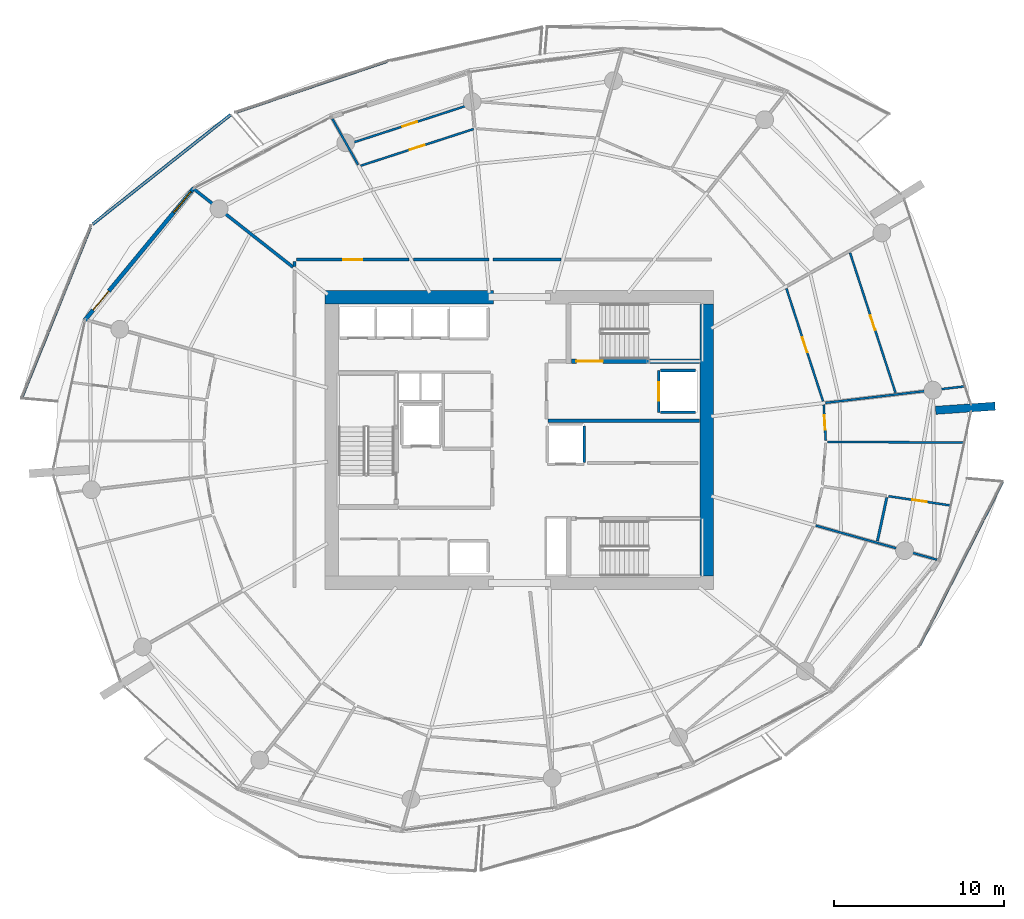
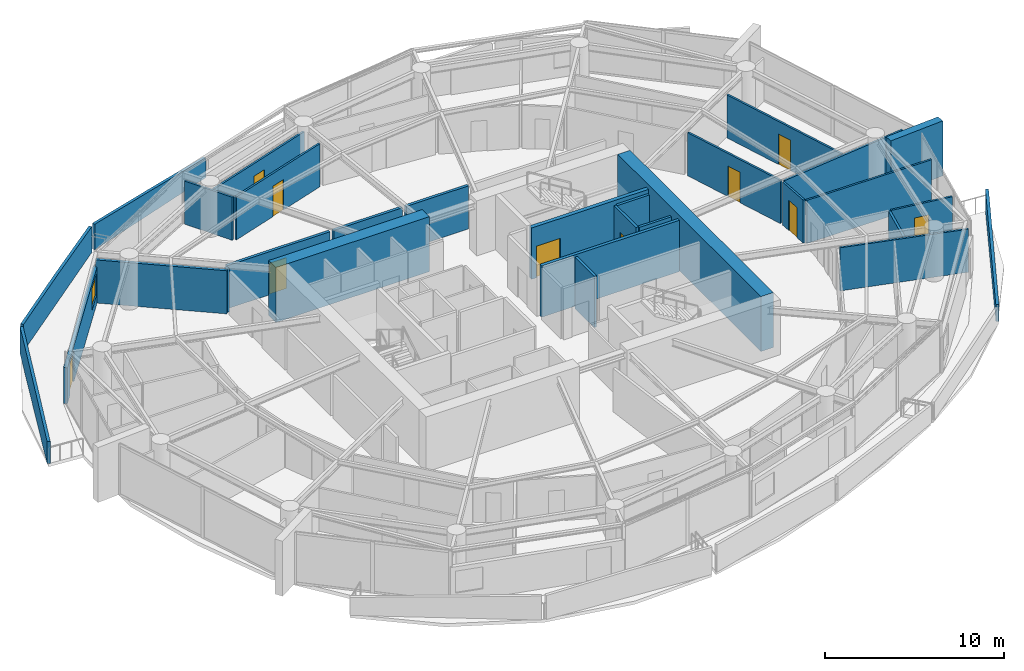
# One storey, part 14 of 20: 30 walls, 10 doors, 1 window, 11 openings.
"""IFC4 building model written with IfcOpenShell, lengths in metres."""

from ifc_helpers import new_model, si_unit, direction, frame, frame_2d, origin, place, context, subcontext, project, spatial, polyline, rectangle, outline, extrude, material, layer, layer_set, type_object, element, fill, save


model = new_model("IFC4")

# Units and contexts
model_context = context("Model", 3, precision=1e-05, world=origin(), true_north=direction((0.0, 1.0)))
body_context = subcontext(model_context, "Body", "Model", "MODEL_VIEW")
ifc_project = project(units=[si_unit("LENGTHUNIT", "METRE"), si_unit("AREAUNIT", "SQUARE_METRE"), si_unit("VOLUMEUNIT", "CUBIC_METRE"), si_unit("PLANEANGLEUNIT", "RADIAN"), si_unit("MASSUNIT", "GRAM", prefix="KILO")], contexts=[model_context])

# Site, building, storey
site_placement = place(None, origin())
site = spatial("IfcSite", under=ifc_project, at=site_placement, CompositionType="ELEMENT")
building_placement = place(site_placement, origin())
building = spatial("IfcBuilding", under=site, at=building_placement, Name="Kazma Halo Residences", CompositionType="ELEMENT")
storey_placement = place(building_placement, frame((0.0, 0.0, 142.800048828125)))
storey = spatial("IfcBuildingStorey", under=building, at=storey_placement, Name="L35", CompositionType="ELEMENT", Elevation=142.800048828125)

# Walls
ifc_material_1 = material(Name="White Concrete C50/60 Balustrade", Category="concrete")
ifc_layer_1 = layer(ifc_material_1, 0.179931640625)
ifc_layer_set_1 = layer_set([ifc_layer_1], Name="White Concrete C50/60 Balustrade")
wall_type_1 = type_object("IfcWallType", Name="WL-BAL-WAVE-180", PredefinedType="PARAPET", material=ifc_layer_set_1)
wall_1_placement = place(storey_placement, frame((40.640380859375, 64.2626953125, 0.0), z_axis=(0.0, 0.0, 1.0), x_axis=(-0.947571676397, -0.319543296113, 0.0)))
element("IfcWall", 1, at=wall_1_placement, inside=storey, type_object=wall_type_1, Name="L35 white wave balustrade wall NNW.2", PredefinedType="PARAPET", context=body_context, shape_type="SweptSolid", body=[
    extrude(outline(polyline([(0.0, 0.0), (9.383056640625, 0.0), (9.383056640625, 1.7470703125), (4.69140625, 1.56201171875), (0.0, 1.347900390625), (0.0, 0.0)])), frame((0.0, 0.08984375, 0.0), z_axis=(0.0, -1.0, 0.0), x_axis=(1.0, 0.0, 0.0)), (0.0, 0.0, 1.0), 0.179931640625),
])
wall_2_placement = place(storey_placement, frame((31.46142578125, 61.12646484375, 0.0), z_axis=(0.0, 0.0, 1.0), x_axis=(-0.783643972098, -0.621210209989, 0.0)))
element("IfcWall", 2, at=wall_2_placement, inside=storey, type_object=wall_type_1, Name="L35 white wave balustrade wall NW.1", PredefinedType="PARAPET", context=body_context, shape_type="SweptSolid", body=[
    extrude(outline(polyline([(0.0, 0.0), (10.36474609375, 0.0), (10.36474609375, 1.83203125), (5.182373046875, 1.85302734375), (0.0, 1.755859375), (0.0, 0.0)])), frame((0.0, 0.08984375, 0.0), z_axis=(0.0, -1.0, 0.0), x_axis=(1.0, 0.0, 0.0)), (0.0, 0.0, 1.0), 0.179931640625),
])
wall_3_placement = place(storey_placement, frame((23.2001953125, 54.501953125, 0.0), z_axis=(0.0, 0.0, 1.0), x_axis=(-0.373952087888, -0.927448023322, 0.0)))
element("IfcWall", 3, at=wall_3_placement, inside=storey, type_object=wall_type_1, Name="L35 white wave balustrade wall NW.2", PredefinedType="PARAPET", context=body_context, shape_type="SweptSolid", body=[
    extrude(outline(polyline([(0.0, 0.0), (10.840087890625, 0.0), (10.840087890625, 1.4970703125), (5.420166015625, 1.696044921875), (0.0, 1.83203125), (0.0, 0.0)])), frame((0.0, 0.08984375, 0.0), z_axis=(0.0, -1.0, 0.0), x_axis=(1.0, 0.0, 0.0)), (0.0, 0.0, 1.0), 0.179931640625),
])
wall_4_placement = place(storey_placement, frame((71.952880859375, 29.929931640625, 0.0), z_axis=(0.0, 0.0, 1.0), x_axis=(0.452409779831, 0.891810176615, 0.0)))
element("IfcWall", 4, at=wall_4_placement, inside=storey, type_object=wall_type_1, Name="L35 white wave balustrade wall SE.2", PredefinedType="PARAPET", context=body_context, shape_type="SweptSolid", body=[
    extrude(outline(polyline([(0.0, 0.0), (10.790771484375, 0.0), (10.79052734375, 1.48291015625), (5.395263671875, 1.283935546875), (0.0, 1.14794921875), (0.0, 0.0)])), frame((0.0, 0.08984375, 0.0), z_axis=(0.0, -1.0, 0.0), x_axis=(1.0, 0.0, 0.0)), (0.0, 0.0, 1.0), 0.179931640625),
])
ifc_material_2 = material(Name="Pale Concrete C60/75", Category="concrete")
ifc_layer_2 = layer(ifc_material_2, 0.47998046875)
ifc_layer_set_2 = layer_set([ifc_layer_2], Name="Pale Concrete C60/75")
wall_type_2 = type_object("IfcWallType", Name="WL-BLADE-480", PredefinedType="SOLIDWALL", material=ifc_layer_set_2)
wall_5_placement = place(storey_placement, frame((72.89697265625, 43.740966796875, 0.0), z_axis=(0.0, 0.0, 1.0), x_axis=(0.997564163539, 0.069754853754, 0.0)))
element("IfcWall", 5, at=wall_5_placement, inside=storey, type_object=wall_type_2, Name="L35 pale concrete structural blade fin wall BW-04", PredefinedType="SOLIDWALL", context=body_context, shape_type="SweptSolid", body=[
    extrude(rectangle(XDim=3.5, YDim=0.47998046875, at=frame_2d((1.75, 0.0))), origin(), (0.0, 0.0, 1.0), 3.75),
])
ifc_material_3 = material(Name="Concrete C80/95", Category="concrete")
ifc_layer_3 = layer(ifc_material_3, 0.800048828125)
ifc_layer_set_3 = layer_set([ifc_layer_3], Name="Concrete C80/95")
wall_type_3 = type_object("IfcWallType", Name="WL-CORE-800", PredefinedType="SHEAR", material=ifc_layer_set_3)
wall_6_placement = place(storey_placement, frame((37.0, 50.39990234375, 0.0), z_axis=(0.0, 0.0, 1.0), x_axis=(1.0, 0.0, 0.0)))
element("IfcWall", 6, at=wall_6_placement, inside=storey, type_object=wall_type_3, Name="L35 central core shear wall NW", PredefinedType="SHEAR", context=body_context, shape_type="SweptSolid", body=[
    extrude(rectangle(XDim=9.89990234375, YDim=0.800048828125, at=frame_2d((4.949951171875, 0.0))), origin(), (0.0, 0.0, 1.0), 3.75),
])
wall_7_placement = place(storey_placement, frame((59.449951171875, 34.0, 0.0), z_axis=(0.0, 0.0, 1.0), x_axis=(0.0, 1.0, 0.0)))
element("IfcWall", 7, at=wall_7_placement, inside=storey, type_object=wall_type_3, Name="L35 central core shear wall E", PredefinedType="SHEAR", context=body_context, shape_type="SweptSolid", body=[
    extrude(rectangle(XDim=16.0, YDim=0.800048828125, at=frame_2d((8.0, 0.0))), origin(), (0.0, 0.0, 1.0), 3.75),
])
ifc_material_4 = material(Name="Acoustic Twin-Stud Gypsum")
ifc_layer_4 = layer(ifc_material_4, 0.179931640625)
ifc_layer_set_4 = layer_set([ifc_layer_4], Name="Acoustic Twin-Stud Gypsum")
wall_type_4 = type_object("IfcWallType", Name="WL-DEM-180", PredefinedType="PARTITIONING", material=ifc_layer_set_4)
wall_8_placement = place(storey_placement, frame((35.113525390625, 52.15869140625, 0.0), z_axis=(0.0, 0.0, 1.0), x_axis=(-0.78531739611, 0.619093359169, 0.0)))
element("IfcWall", 8, at=wall_8_placement, inside=storey, type_object=wall_type_4, Name="L35 apartment demising radial wall 05", PredefinedType="PARTITIONING", context=body_context, shape_type="SweptSolid", body=[
    extrude(rectangle(XDim=7.430419921875, YDim=0.179931640625, at=frame_2d((3.71533203125, 0.0))), origin(), (0.0, 0.0, 1.0), 2.93994140625),
])

# Wall, opening, door
wall_9_placement = place(storey_placement, frame((41.943603515625, 52.60009765625, 0.0), z_axis=(0.0, 0.0, 1.0), x_axis=(-1.0, 0.0, 0.0)))
wall_9 = element("IfcWall", 9, at=wall_9_placement, inside=storey, type_object=wall_type_4, Name="L35 Apartment 2 entrance corridor wall", PredefinedType="PARTITIONING", context=body_context, shape_type="SweptSolid", body=[
    extrude(rectangle(XDim=6.62353515625, YDim=0.179931640625, at=frame_2d((3.311767578125, 0.0))), origin(), (0.0, 0.0, 1.0), 2.93994140625),
])
opening_1_placement = place(wall_9_placement, frame((2.76171875, 0.0, 0.0)))
opening_1 = element("IfcOpeningElement", 10, at=opening_1_placement, cuts=wall_9, Name="Opening DA-1100", PredefinedType="OPENING", context=body_context, shape_type="SweptSolid", body=[
    extrude(rectangle(XDim=1.10009765625, YDim=2.10009765625, at=frame_2d((0.550048828125, 1.050048828125))), frame((0.0, 0.099853515625, 0.0), z_axis=(0.0, -1.0, 0.0), x_axis=(1.0, 0.0, 0.0)), (0.0, 0.0, 1.0), 0.199951171875),
])
ifc_material_5 = material(Name="Acoustic Walnut Fire Leaf")
door_type_1 = type_object("IfcDoorType", Name="DR-FD60-1100", OperationType="NOTDEFINED", PredefinedType="DOOR", material=ifc_material_5)
door_1_placement = place(opening_1_placement, origin())
door_1 = element("IfcDoor", 11, at=door_1_placement, inside=storey, type_object=door_type_1, Name="L35 Apartment 2 entrance fire door", OperationType="SINGLE_SWING_RIGHT", OverallHeight=2.10009765625, OverallWidth=1.10009765625, PredefinedType="DOOR", context=body_context, shape_type="SweptSolid", body=[
    extrude(rectangle(XDim=1.10009765625, YDim=2.10009765625, at=frame_2d((0.550048828125, 1.050048828125))), frame((0.0, 0.02490234375, 0.0), z_axis=(0.0, -1.0, 0.0), x_axis=(1.0, 0.0, 0.0)), (0.0, 0.0, 1.0), 0.050048828125),
])
fill(opening_1, door_1)

# Walls
wall_10_placement = place(storey_placement, frame((35.199951171875, 52.47998046875, 0.0), z_axis=(0.0, 0.0, 1.0), x_axis=(0.0, -1.0, 0.0)))
element("IfcWall", 12, at=wall_10_placement, inside=storey, type_object=wall_type_4, Name="L35 Apartment 2 entrance corridor wall", PredefinedType="PARTITIONING", context=body_context, shape_type="SweptSolid", body=[
    extrude(rectangle(XDim=0.269287109375, YDim=0.179931640625, at=frame_2d((0.134765625, 0.0))), origin(), (0.0, 0.0, 1.0), 2.93994140625),
])
wall_11_placement = place(storey_placement, frame((50.869384765625, 52.60009765625, 0.0), z_axis=(0.0, 0.0, 1.0), x_axis=(-1.0, 0.0, 0.0)))
element("IfcWall", 13, at=wall_11_placement, inside=storey, type_object=wall_type_4, Name="L35 Apartment 2 inner wall 2", PredefinedType="PARTITIONING", context=body_context, shape_type="SweptSolid", body=[
    extrude(rectangle(XDim=4.00390625, YDim=0.179931640625, at=frame_2d((2.001953125, 0.0))), origin(), (0.0, 0.0, 1.0), 2.93994140625),
])
wall_12_placement = place(storey_placement, frame((46.62548828125, 52.60009765625, 0.0), z_axis=(0.0, 0.0, 1.0), x_axis=(-1.0, 0.0, 0.0)))
element("IfcWall", 14, at=wall_12_placement, inside=storey, type_object=wall_type_4, Name="L35 Apartment 2 inner wall 3", PredefinedType="PARTITIONING", context=body_context, shape_type="SweptSolid", body=[
    extrude(rectangle(XDim=4.44189453125, YDim=0.179931640625, at=frame_2d((2.220947265625, 0.0))), origin(), (0.0, 0.0, 1.0), 2.93994140625),
])

# Wall, openings, door, window
ifc_material_6 = material(Name="Insulated Pale-Metal Composite Wall")
ifc_layer_5 = layer(ifc_material_6, 0.239990234375)
ifc_layer_set_5 = layer_set([ifc_layer_5], Name="Insulated Pale-Metal Composite Wall")
wall_type_5 = type_object("IfcWallType", Name="WL-EXT-HOST-240", PredefinedType="SOLIDWALL", material=ifc_layer_set_5)
wall_13_placement = place(storey_placement, frame((29.29052734375, 56.81298828125, 0.0), z_axis=(0.0, 0.0, 1.0), x_axis=(-0.636771922292, -0.77105221547, 0.0)))
wall_13 = element("IfcWall", 15, at=wall_13_placement, inside=storey, type_object=wall_type_5, Name="L35 exterior terrace-access wall B06", PredefinedType="SOLIDWALL", context=body_context, shape_type="SweptSolid", body=[
    extrude(rectangle(XDim=10.08154296875, YDim=0.239990234375, at=frame_2d((5.040771484375, 0.0))), origin(), (0.0, 0.0, 1.0), 2.449951171875),
])
opening_2_placement = place(wall_13_placement, frame((7.861572265625, 0.0, 0.0)))
opening_2 = element("IfcOpeningElement", 16, at=opening_2_placement, cuts=wall_13, Name="Opening DTR-1600", PredefinedType="OPENING", context=body_context, shape_type="SweptSolid", body=[
    extrude(rectangle(XDim=1.449951171875, YDim=2.14990234375, at=frame_2d((0.72509765625, 1.074951171875))), frame((0.0, 0.1298828125, 0.0), z_axis=(0.0, -1.0, 0.0), x_axis=(1.0, 0.0, 0.0)), (0.0, 0.0, 1.0), 0.260009765625),
])
opening_3_placement = place(wall_13_placement, frame((0.280029296875, 0.0, 0.64990234375)))
opening_3 = element("IfcOpeningElement", 17, at=opening_3_placement, cuts=wall_13, Name="Opening W-1800", PredefinedType="OPENING", context=body_context, shape_type="SweptSolid", body=[
    extrude(rectangle(XDim=1.60009765625, YDim=1.5, at=frame_2d((0.800048828125, 0.75))), frame((0.0, 0.1298828125, 0.0), z_axis=(0.0, -1.0, 0.0), x_axis=(1.0, 0.0, 0.0)), (0.0, 0.0, 1.0), 0.260009765625),
])
ifc_material_7 = material(Name="Aluminium AW-6063 T6 Double-Glazed Terrace Door", Category="aluminium")
door_type_2 = type_object("IfcDoorType", Name="DR-EXT-TERR-1600", OperationType="NOTDEFINED", PredefinedType="DOOR", material=ifc_material_7)
door_2_placement = place(opening_2_placement, origin())
door_2 = element("IfcDoor", 18, at=door_2_placement, inside=storey, type_object=door_type_2, Name="L35 B06 balcony terrace door", OperationType="DOUBLE_DOOR_SLIDING", OverallHeight=2.14990234375, OverallWidth=1.449951171875, PredefinedType="DOOR", context=body_context, shape_type="SweptSolid", body=[
    extrude(rectangle(XDim=1.449951171875, YDim=2.14990234375, at=frame_2d((0.72509765625, 1.074951171875))), frame((0.0, 0.02490234375, 0.0), z_axis=(0.0, -1.0, 0.0), x_axis=(1.0, 0.0, 0.0)), (0.0, 0.0, 1.0), 0.050048828125),
])
fill(opening_2, door_2)
ifc_material_8 = material(Name="Clear Triple-Silver Low-E Glass in Aluminium AW-6063 T6 Frame", Category="aluminium")
window_type = type_object("IfcWindowType", Name="WIN-RES-1800", PartitioningType="DOUBLE_PANEL_VERTICAL", PredefinedType="WINDOW", material=ifc_material_8)
window_placement = place(opening_3_placement, origin())
window = element("IfcWindow", 19, at=window_placement, inside=storey, type_object=window_type, Name="L35 B06 apartment window", OverallHeight=1.5, OverallWidth=1.60009765625, PartitioningType="SINGLE_PANEL", PredefinedType="WINDOW", context=body_context, shape_type="SweptSolid", body=[
    extrude(rectangle(XDim=1.60009765625, YDim=1.5, at=frame_2d((0.800048828125, 0.75))), frame((0.0, 0.030029296875, 0.0), z_axis=(0.0, -1.0, 0.0), x_axis=(1.0, 0.0, 0.0)), (0.0, 0.0, 1.0), 0.06005859375),
])
fill(opening_3, window)

# Wall, opening, door
ifc_material_9 = material(Name="Fire-Rated Blockwork Masonry", Category="masonry")
ifc_layer_6 = layer(ifc_material_9, 0.199951171875)
ifc_layer_set_6 = layer_set([ifc_layer_6], Name="Fire-Rated Blockwork Masonry")
wall_type_6 = type_object("IfcWallType", Name="WL-FLB-200", PredefinedType="PARTITIONING", material=ifc_layer_set_6)
wall_14_placement = place(storey_placement, frame((56.6201171875, 46.080078125, 0.0), z_axis=(0.0, 0.0, 1.0), x_axis=(0.0, -1.0, 0.0)))
wall_14 = element("IfcWall", 20, at=wall_14_placement, inside=storey, type_object=wall_type_6, Name="L35 lift shaft FL-02 front wall", PredefinedType="PARTITIONING", context=body_context, shape_type="SweptSolid", body=[
    extrude(rectangle(XDim=2.4599609375, YDim=0.159912109375, at=frame_2d((1.22998046875, 0.0))), origin(), (0.0, 0.0, 1.0), 3.5),
])
opening_4_placement = place(wall_14_placement, frame((0.679931640625, 0.0, 0.0)))
opening_4 = element("IfcOpeningElement", 21, at=opening_4_placement, cuts=wall_14, Name="Opening LD-FL-02", PredefinedType="OPENING", context=body_context, shape_type="SweptSolid", body=[
    extrude(rectangle(XDim=1.10009765625, YDim=2.10009765625, at=frame_2d((0.550048828125, 1.050048828125))), frame((0.0, 0.08984375, 0.0), z_axis=(0.0, -1.0, 0.0), x_axis=(1.0, 0.0, 0.0)), (0.0, 0.0, 1.0), 0.179931640625),
])
ifc_material_10 = material(Name="Stainless Steel Fire-Rated", Category="steel")
door_type_3 = type_object("IfcDoorType", Name="DR-LIFT-SLD-1100", OperationType="DOUBLE_DOOR_SLIDING", PredefinedType="DOOR", material=ifc_material_10)
door_3_placement = place(opening_4_placement, origin())
door_3 = element("IfcDoor", 22, at=door_3_placement, inside=storey, type_object=door_type_3, Name="L35 lift FL-02 sliding landing door", OperationType="DOUBLE_DOOR_SLIDING", OverallHeight=2.10009765625, OverallWidth=1.10009765625, PredefinedType="DOOR", context=body_context, shape_type="SweptSolid", body=[
    extrude(rectangle(XDim=1.10009765625, YDim=2.10009765625, at=frame_2d((0.550048828125, 1.050048828125))), frame((0.0, 0.02490234375, 0.0), z_axis=(0.0, -1.0, 0.0), x_axis=(1.0, 0.0, 0.0)), (0.0, 0.0, 1.0), 0.050048828125),
])
fill(opening_4, door_3)

# Walls
for number, where, z_axis, x_axis, name in (
    (23, (56.719970703125, 46.080078125, 0.0), (0.0, 0.0, 1.0), (1.0, 0.0, 0.0), "L35 lift shaft FL-02 side wall N"),
    (24, (56.719970703125, 43.6201171875, 0.0), (0.0, 0.0, 1.0), (1.0, 0.0, 0.0), "L35 lift shaft FL-02 side wall S"),
):
    element("IfcWall", number, at=place(storey_placement, frame(where, z_axis=z_axis, x_axis=x_axis)), inside=storey, type_object=wall_type_6, Name=name, PredefinedType="PARTITIONING", context=body_context, shape_type="SweptSolid", body=[
        extrude(rectangle(XDim=2.06005859375, YDim=0.159912109375, at=frame_2d((1.030029296875, 0.0))), origin(), (0.0, 0.0, 1.0), 3.5),
    ])
wall_15_placement = place(storey_placement, frame((52.22998046875, 40.669921875, 0.0), z_axis=(0.0, 0.0, 1.0), x_axis=(0.0, 1.0, 0.0)))
element("IfcWall", 25, at=wall_15_placement, inside=storey, type_object=wall_type_6, Name="L35 lift shaft SV-01 side wall E", PredefinedType="PARTITIONING", context=body_context, shape_type="SweptSolid", body=[
    extrude(rectangle(XDim=2.16015625, YDim=0.159912109375, at=frame_2d((1.080078125, 0.0))), origin(), (0.0, 0.0, 1.0), 3.5),
])
wall_16_placement = place(storey_placement, frame((50.1201171875, 43.1201171875, 0.0), z_axis=(0.0, 0.0, 1.0), x_axis=(1.0, 0.0, 0.0)))
element("IfcWall", 26, at=wall_16_placement, inside=storey, type_object=wall_type_6, Name="L35 east firefighting lobby south smoke wall", PredefinedType="PARTITIONING", context=body_context, shape_type="SweptSolid", body=[
    extrude(rectangle(XDim=8.8798828125, YDim=0.199951171875, at=frame_2d((4.43994140625, 0.0))), origin(), (0.0, 0.0, 1.0), 3.5),
])
ifc_material_11 = material(Name="Gypsum Plasterboard Partition")
ifc_layer_7 = layer(ifc_material_11, 0.125)
ifc_layer_set_7 = layer_set([ifc_layer_7], Name="Gypsum Plasterboard Partition")
wall_type_7 = type_object("IfcWallType", Name="WL-PART-125", PredefinedType="PARTITIONING", material=ifc_layer_set_7)
wall_17_placement = place(storey_placement, frame((65.843017578125, 36.9677734375, 0.0), z_axis=(0.0, 0.0, 1.0), x_axis=(0.962456736489, -0.271435131084, 0.0)))
element("IfcWall", 27, at=wall_17_placement, inside=storey, type_object=wall_type_7, Name="L35 Apartment 2 radial partition 14", PredefinedType="PARTITIONING", context=body_context, shape_type="SweptSolid", body=[
    extrude(rectangle(XDim=7.412353515625, YDim=0.125, at=frame_2d((3.7060546875, 0.0))), origin(), (0.0, 0.0, 1.0), 2.93994140625),
])

# Wall, opening, door
wall_18_placement = place(storey_placement, frame((70.1328125, 38.690185546875, 0.0), z_axis=(0.0, 0.0, 1.0), x_axis=(0.989002592366, -0.147898182183, 0.0)))
wall_18 = element("IfcWall", 28, at=wall_18_placement, inside=storey, type_object=wall_type_7, Name="L35 Apartment 2 South Walk-In Wardrobe partition wall", PredefinedType="PARTITIONING", context=body_context, shape_type="SweptSolid", body=[
    extrude(rectangle(XDim=3.671142578125, YDim=0.125, at=frame_2d((1.83544921875, 0.0))), origin(), (0.0, 0.0, 1.0), 2.93994140625),
])
opening_5_placement = place(wall_18_placement, frame((1.41064453125, 0.0, 0.0)))
opening_5 = element("IfcOpeningElement", 29, at=opening_5_placement, cuts=wall_18, Name="Opening DB-900", PredefinedType="OPENING", context=body_context, shape_type="SweptSolid", body=[
    extrude(rectangle(XDim=0.85009765625, YDim=2.06005859375, at=frame_2d((0.425048828125, 1.030029296875))), frame((0.0, 0.072509765625, 0.0), z_axis=(0.0, -1.0, 0.0), x_axis=(1.0, 0.0, 0.0)), (0.0, 0.0, 1.0), 0.14501953125),
])
ifc_material_12 = material(Name="Moisture-Sealed Timber Leaf", Category="wood")
door_type_4 = type_object("IfcDoorType", Name="DR-BTH-900", OperationType="NOTDEFINED", PredefinedType="DOOR", material=ifc_material_12)
door_4_placement = place(opening_5_placement, origin())
door_4 = element("IfcDoor", 30, at=door_4_placement, inside=storey, type_object=door_type_4, Name="L35 Apartment 2 South Walk-In Wardrobe door", OperationType="SINGLE_SWING_LEFT", OverallHeight=2.06005859375, OverallWidth=0.85009765625, PredefinedType="DOOR", context=body_context, shape_type="SweptSolid", body=[
    extrude(rectangle(XDim=0.85009765625, YDim=2.06005859375, at=frame_2d((0.425048828125, 1.030029296875))), frame((0.0, 0.02490234375, 0.0), z_axis=(0.0, -1.0, 0.0), x_axis=(1.0, 0.0, 0.0)), (0.0, 0.0, 1.0), 0.050048828125),
])
fill(opening_5, door_4)

# Wall
wall_19_placement = place(storey_placement, frame((66.52880859375, 41.888916015625, 0.0), z_axis=(0.0, 0.0, 1.0), x_axis=(0.999982052634, -0.00599119444, 0.0)))
element("IfcWall", 31, at=wall_19_placement, inside=storey, type_object=wall_type_7, Name="L35 Apartment 2 suite divider 14", PredefinedType="PARTITIONING", context=body_context, shape_type="SweptSolid", body=[
    extrude(rectangle(XDim=8.02783203125, YDim=0.125, at=frame_2d((4.013916015625, 0.0))), origin(), (0.0, 0.0, 1.0), 2.93994140625),
])

# Wall, opening, door
wall_20_placement = place(storey_placement, frame((66.43408203125, 41.96923828125, 0.0), z_axis=(0.0, 0.0, 1.0), x_axis=(-0.055766005986, 0.998443865511, 0.0)))
wall_20 = element("IfcWall", 32, at=wall_20_placement, inside=storey, type_object=wall_type_7, Name="L35 Apartment 2 Outer Master Bedroom hall wall", PredefinedType="PARTITIONING", context=body_context, shape_type="SweptSolid", body=[
    extrude(rectangle(XDim=2.101318359375, YDim=0.125, at=frame_2d((1.05078125, 0.0))), origin(), (0.0, 0.0, 1.0), 2.93994140625),
])
opening_6_placement = place(wall_20_placement, frame((0.625732421875, 0.0, 0.0)))
opening_6 = element("IfcOpeningElement", 33, at=opening_6_placement, cuts=wall_20, Name="Opening DB-900", PredefinedType="OPENING", context=body_context, shape_type="SweptSolid", body=[
    extrude(rectangle(XDim=0.85009765625, YDim=2.06005859375, at=frame_2d((0.425048828125, 1.030029296875))), frame((0.0, 0.072509765625, 0.0), z_axis=(0.0, -1.0, 0.0), x_axis=(1.0, 0.0, 0.0)), (0.0, 0.0, 1.0), 0.14501953125),
])
door_5_placement = place(opening_6_placement, origin())
door_5 = element("IfcDoor", 34, at=door_5_placement, inside=storey, type_object=door_type_4, Name="L35 Apartment 2 Outer Master Bedroom door", OperationType="SINGLE_SWING_LEFT", OverallHeight=2.06005859375, OverallWidth=0.85009765625, PredefinedType="DOOR", context=body_context, shape_type="SweptSolid", body=[
    extrude(rectangle(XDim=0.85009765625, YDim=2.06005859375, at=frame_2d((0.425048828125, 1.030029296875))), frame((0.0, 0.02490234375, 0.0), z_axis=(0.0, -1.0, 0.0), x_axis=(1.0, 0.0, 0.0)), (0.0, 0.0, 1.0), 0.050048828125),
])
fill(opening_6, door_5)

# Wall
wall_21_placement = place(storey_placement, frame((66.410400390625, 44.17919921875, 0.0), z_axis=(0.0, 0.0, 1.0), x_axis=(0.993070354128, 0.117521367213, 0.0)))
element("IfcWall", 35, at=wall_21_placement, inside=storey, type_object=wall_type_7, Name="L35 Apartment 2 radial partition 15", PredefinedType="PARTITIONING", context=body_context, shape_type="SweptSolid", body=[
    extrude(rectangle(XDim=8.247314453125, YDim=0.125, at=frame_2d((4.12353515625, 0.0))), origin(), (0.0, 0.0, 1.0), 2.93994140625),
])

# Wall, opening, door
wall_22_placement = place(storey_placement, frame((66.277099609375, 44.27197265625, 0.0), z_axis=(0.0, 0.0, 1.0), x_axis=(-0.308993461661, 0.951064162215, 0.0)))
wall_22 = element("IfcWall", 36, at=wall_22_placement, inside=storey, type_object=wall_type_7, Name="L35 Apartment 2 Corner Study hall wall", PredefinedType="PARTITIONING", context=body_context, shape_type="SweptSolid", body=[
    extrude(rectangle(XDim=6.974365234375, YDim=0.125, at=frame_2d((3.4873046875, 0.0))), origin(), (0.0, 0.0, 1.0), 2.93994140625),
])
opening_7_placement = place(wall_22_placement, frame((3.037353515625, 0.0, 0.0)))
opening_7 = element("IfcOpeningElement", 37, at=opening_7_placement, cuts=wall_22, Name="Opening DI-950", PredefinedType="OPENING", context=body_context, shape_type="SweptSolid", body=[
    extrude(rectangle(XDim=0.89990234375, YDim=2.080078125, at=frame_2d((0.449951171875, 1.0400390625))), frame((0.0, 0.072509765625, 0.0), z_axis=(0.0, -1.0, 0.0), x_axis=(1.0, 0.0, 0.0)), (0.0, 0.0, 1.0), 0.14501953125),
])
ifc_material_13 = material(Name="Timber Veneer Flush Leaf", Category="wood")
door_type_5 = type_object("IfcDoorType", Name="DR-INT-950", OperationType="NOTDEFINED", PredefinedType="DOOR", material=ifc_material_13)
door_6_placement = place(opening_7_placement, origin())
door_6 = element("IfcDoor", 38, at=door_6_placement, inside=storey, type_object=door_type_5, Name="L35 Apartment 2 Corner Study door", OperationType="SINGLE_SWING_LEFT", OverallHeight=2.080078125, OverallWidth=0.89990234375, PredefinedType="DOOR", context=body_context, shape_type="SweptSolid", body=[
    extrude(rectangle(XDim=0.89990234375, YDim=2.080078125, at=frame_2d((0.449951171875, 1.0400390625))), frame((0.0, 0.02490234375, 0.0), z_axis=(0.0, -1.0, 0.0), x_axis=(1.0, 0.0, 0.0)), (0.0, 0.0, 1.0), 0.050048828125),
])
fill(opening_7, door_6)

wall_23_placement = place(storey_placement, frame((70.535400390625, 44.77587890625, 0.0), z_axis=(0.0, 0.0, 1.0), x_axis=(-0.309002443549, 0.951061244022, 0.0)))
wall_23 = element("IfcWall", 39, at=wall_23_placement, inside=storey, type_object=wall_type_7, Name="L35 Apartment 2 Garden Master Bedroom divider wall", PredefinedType="PARTITIONING", context=body_context, shape_type="SweptSolid", body=[
    extrude(rectangle(XDim=8.6474609375, YDim=0.125, at=frame_2d((4.32373046875, 0.0))), origin(), (0.0, 0.0, 1.0), 2.93994140625),
])
opening_8_placement = place(wall_23_placement, frame((3.873779296875, 0.0, 0.0)))
opening_8 = element("IfcOpeningElement", 40, at=opening_8_placement, cuts=wall_23, Name="Opening DI-950", PredefinedType="OPENING", context=body_context, shape_type="SweptSolid", body=[
    extrude(rectangle(XDim=0.89990234375, YDim=2.080078125, at=frame_2d((0.449951171875, 1.0400390625))), frame((0.0, 0.072509765625, 0.0), z_axis=(0.0, -1.0, 0.0), x_axis=(1.0, 0.0, 0.0)), (0.0, 0.0, 1.0), 0.14501953125),
])
door_7_placement = place(opening_8_placement, origin())
door_7 = element("IfcDoor", 41, at=door_7_placement, inside=storey, type_object=door_type_5, Name="L35 Apartment 2 Garden Master Bedroom door", OperationType="SINGLE_SWING_RIGHT", OverallHeight=2.080078125, OverallWidth=0.89990234375, PredefinedType="DOOR", context=body_context, shape_type="SweptSolid", body=[
    extrude(rectangle(XDim=0.89990234375, YDim=2.080078125, at=frame_2d((0.449951171875, 1.0400390625))), frame((0.0, 0.02490234375, 0.0), z_axis=(0.0, -1.0, 0.0), x_axis=(1.0, 0.0, 0.0)), (0.0, 0.0, 1.0), 0.050048828125),
])
fill(opening_8, door_7)

# Wall
wall_24_placement = place(storey_placement, frame((38.94140625, 58.17529296875, 0.0), z_axis=(0.0, 0.0, 1.0), x_axis=(-0.488620181058, 0.872496600946, 0.0)))
element("IfcWall", 42, at=wall_24_placement, inside=storey, type_object=wall_type_7, Name="L35 Apartment 2 living radial partition 3", PredefinedType="PARTITIONING", context=body_context, shape_type="SweptSolid", body=[
    extrude(rectangle(XDim=3.095458984375, YDim=0.125, at=frame_2d((1.5478515625, 0.0))), origin(), (0.0, 0.0, 1.0), 2.93994140625),
])

# Wall, opening, door
wall_25_placement = place(storey_placement, frame((45.72802734375, 60.277099609375, 0.0), z_axis=(0.0, 0.0, 1.0), x_axis=(-0.951064162215, -0.308993461661, 0.0)))
wall_25 = element("IfcWall", 43, at=wall_25_placement, inside=storey, type_object=wall_type_7, Name="L35 Apartment 2 North Study hall wall", PredefinedType="PARTITIONING", context=body_context, shape_type="SweptSolid", body=[
    extrude(rectangle(XDim=6.974365234375, YDim=0.125, at=frame_2d((3.4873046875, 0.0))), origin(), (0.0, 0.0, 1.0), 2.93994140625),
])
opening_9_placement = place(wall_25_placement, frame((3.037353515625, 0.0, 0.0)))
opening_9 = element("IfcOpeningElement", 44, at=opening_9_placement, cuts=wall_25, Name="Opening DI-950", PredefinedType="OPENING", context=body_context, shape_type="SweptSolid", body=[
    extrude(rectangle(XDim=0.89990234375, YDim=2.080078125, at=frame_2d((0.449951171875, 1.0400390625))), frame((0.0, 0.072509765625, 0.0), z_axis=(0.0, -1.0, 0.0), x_axis=(1.0, 0.0, 0.0)), (0.0, 0.0, 1.0), 0.14501953125),
])
door_8_placement = place(opening_9_placement, origin())
door_8 = element("IfcDoor", 45, at=door_8_placement, inside=storey, type_object=door_type_5, Name="L35 Apartment 2 North Study door", OperationType="SINGLE_SWING_LEFT", OverallHeight=2.080078125, OverallWidth=0.89990234375, PredefinedType="DOOR", context=body_context, shape_type="SweptSolid", body=[
    extrude(rectangle(XDim=0.89990234375, YDim=2.080078125, at=frame_2d((0.449951171875, 1.0400390625))), frame((0.0, 0.02490234375, 0.0), z_axis=(0.0, -1.0, 0.0), x_axis=(1.0, 0.0, 0.0)), (0.0, 0.0, 1.0), 0.050048828125),
])
fill(opening_9, door_8)

wall_26_placement = place(storey_placement, frame((45.556396484375, 61.72802734375, 0.0), z_axis=(0.0, 0.0, 1.0), x_axis=(-0.951060224054, -0.309005582834, 0.0)))
wall_26 = element("IfcWall", 46, at=wall_26_placement, inside=storey, type_object=wall_type_7, Name="L35 Apartment 2 South Bedroom divider wall", PredefinedType="PARTITIONING", context=body_context, shape_type="SweptSolid", body=[
    extrude(rectangle(XDim=7.54443359375, YDim=0.125, at=frame_2d((3.772216796875, 0.0))), origin(), (0.0, 0.0, 1.0), 2.93994140625),
])
opening_10_placement = place(wall_26_placement, frame((3.322265625, 0.0, 0.0)))
opening_10 = element("IfcOpeningElement", 47, at=opening_10_placement, cuts=wall_26, Name="Opening DI-950", PredefinedType="OPENING", context=body_context, shape_type="SweptSolid", body=[
    extrude(rectangle(XDim=0.89990234375, YDim=2.080078125, at=frame_2d((0.449951171875, 1.0400390625))), frame((0.0, 0.072509765625, 0.0), z_axis=(0.0, -1.0, 0.0), x_axis=(1.0, 0.0, 0.0)), (0.0, 0.0, 1.0), 0.14501953125),
])
door_9_placement = place(opening_10_placement, origin())
door_9 = element("IfcDoor", 48, at=door_9_placement, inside=storey, type_object=door_type_5, Name="L35 Apartment 2 South Bedroom door", OperationType="SINGLE_SWING_RIGHT", OverallHeight=2.080078125, OverallWidth=0.89990234375, PredefinedType="DOOR", context=body_context, shape_type="SweptSolid", body=[
    extrude(rectangle(XDim=0.89990234375, YDim=2.080078125, at=frame_2d((0.449951171875, 1.0400390625))), frame((0.0, 0.02490234375, 0.0), z_axis=(0.0, -1.0, 0.0), x_axis=(1.0, 0.0, 0.0)), (0.0, 0.0, 1.0), 0.050048828125),
])
fill(opening_10, door_9)

ifc_material_14 = material(Name="Concrete C50/60", Category="concrete")
ifc_layer_8 = layer(ifc_material_14, 0.25)
ifc_layer_set_8 = layer_set([ifc_layer_8], Name="Concrete C50/60")
wall_type_8 = type_object("IfcWallType", Name="WL-SHF-250", PredefinedType="SOLIDWALL", material=ifc_layer_set_8)
wall_27_placement = place(storey_placement, frame((51.47998046875, 46.6201171875, 0.0), z_axis=(0.0, 0.0, 1.0), x_axis=(1.0, 0.0, 0.0)))
wall_27 = element("IfcWall", 49, at=wall_27_placement, inside=storey, type_object=wall_type_8, Name="L35 exit stair ST-02 enclosure wall", PredefinedType="SOLIDWALL", context=body_context, shape_type="SweptSolid", body=[
    extrude(rectangle(XDim=7.5400390625, YDim=0.25, at=frame_2d((3.77001953125, 0.0))), origin(), (0.0, 0.0, 1.0), 3.5),
])
opening_11_placement = place(wall_27_placement, frame((0.300048828125, 0.0, 0.0)))
opening_11 = element("IfcOpeningElement", 50, at=opening_11_placement, cuts=wall_27, Name="Opening D-ST2", PredefinedType="OPENING", context=body_context, shape_type="SweptSolid", body=[
    extrude(rectangle(XDim=1.550048828125, YDim=2.14990234375, at=frame_2d((0.77490234375, 1.074951171875))), frame((0.0, 0.135009765625, 0.0), z_axis=(0.0, -1.0, 0.0), x_axis=(1.0, 0.0, 0.0)), (0.0, 0.0, 1.0), 0.27001953125),
])
ifc_material_15 = material(Name="Fire-Rated Double Steel Leaf", Category="steel")
door_type_6 = type_object("IfcDoorType", Name="DR-FD90-1550", OperationType="NOTDEFINED", PredefinedType="DOOR", material=ifc_material_15)
door_10_placement = place(opening_11_placement, origin())
door_10 = element("IfcDoor", 51, at=door_10_placement, inside=storey, type_object=door_type_6, Name="L35 exit stair ST-02 fire door", OperationType="DOUBLE_DOOR_SINGLE_SWING", OverallHeight=2.14990234375, OverallWidth=1.550048828125, PredefinedType="DOOR", context=body_context, shape_type="SweptSolid", body=[
    extrude(rectangle(XDim=1.550048828125, YDim=2.14990234375, at=frame_2d((0.77490234375, 1.074951171875))), frame((0.0, 0.02490234375, 0.0), z_axis=(0.0, -1.0, 0.0), x_axis=(1.0, 0.0, 0.0)), (0.0, 0.0, 1.0), 0.050048828125),
])
fill(opening_11, door_10)

# Wall
ifc_material_16 = material(Name="Moisture-Resistant Gypsum")
ifc_layer_9 = layer(ifc_material_16, 0.14990234375)
ifc_layer_set_9 = layer_set([ifc_layer_9], Name="Moisture-Resistant Gypsum")
wall_type_9 = type_object("IfcWallType", Name="WL-WET-150", PredefinedType="PARTITIONING", material=ifc_layer_set_9)
wall_28_placement = place(storey_placement, frame((69.47314453125, 36.047607421875, 0.0), z_axis=(0.0, 0.0, 1.0), x_axis=(0.210074988051, 0.97768527625, 0.0)))
element("IfcWall", 52, at=wall_28_placement, inside=storey, type_object=wall_type_9, Name="L35 Apartment 2 North En-Suite Bathroom back wall", PredefinedType="PARTITIONING", context=body_context, shape_type="SweptSolid", body=[
    extrude(rectangle(XDim=2.62646484375, YDim=0.14990234375, at=frame_2d((1.313232421875, 0.0))), origin(), (0.0, 0.0, 1.0), 2.93994140625),
])

save(model, "model.ifc")
